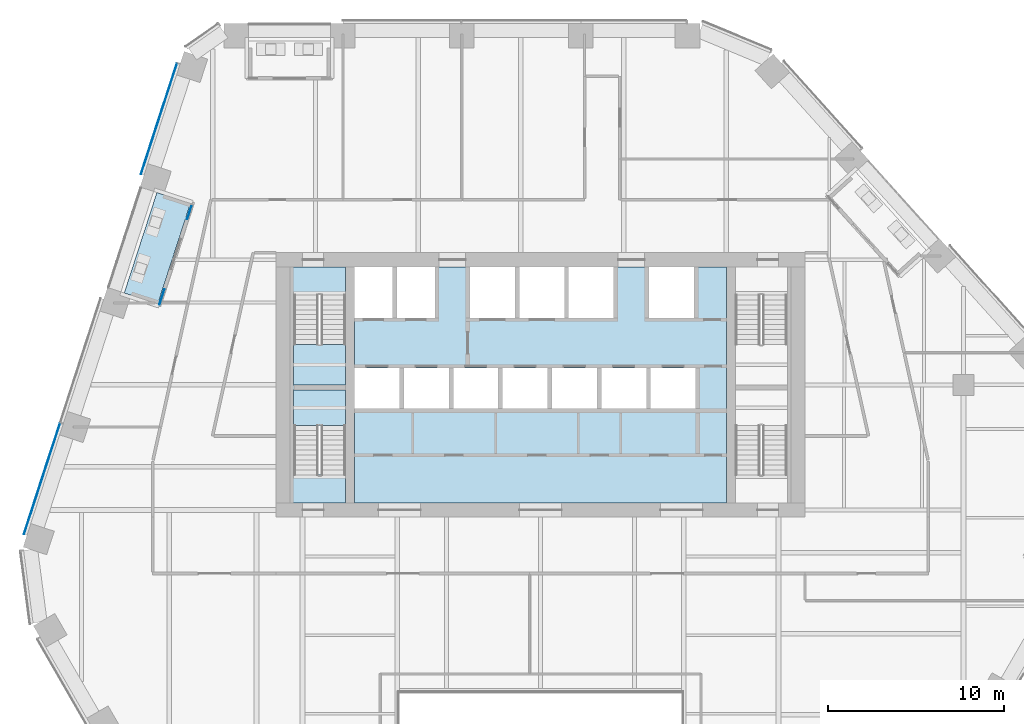
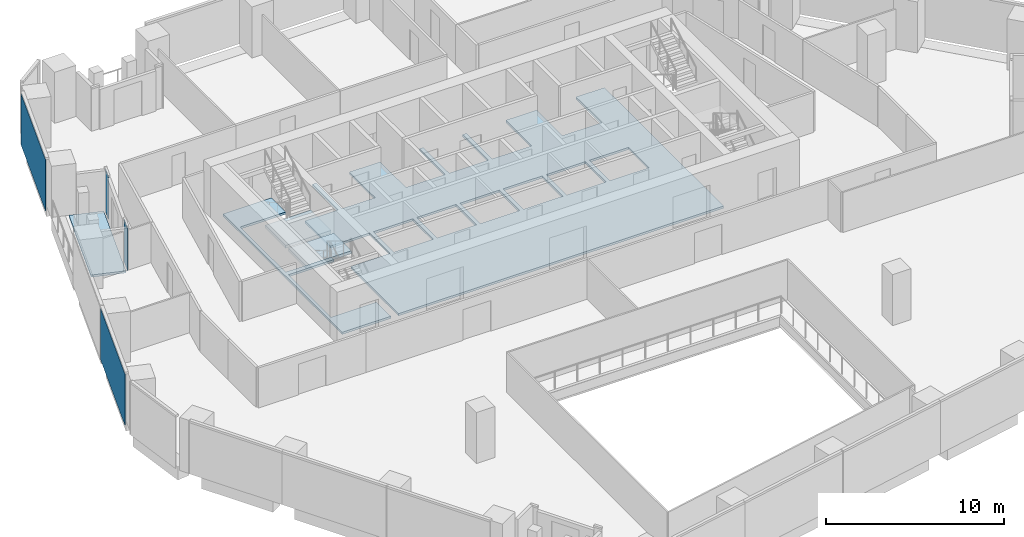
# One storey, part 16 of 26: 5 slabs, 4 plates, 4 elements without a shape of their own.
"""IFC4 building model written with IfcOpenShell, lengths in metres."""

from ifc_helpers import new_model, si_unit, direction, frame, origin, origin_2d, place, context, subcontext, project, spatial, polyline, rectangle, outline, extrude, material, layer, layer_set, type_object, element, aggregate, save


model = new_model("IFC4")

# Units and contexts
model_context = context("Model", 3, precision=1e-05, world=origin(), true_north=direction((0.0, 1.0)))
body_context = subcontext(model_context, "Body", "Model", "MODEL_VIEW")
ifc_project = project(units=[si_unit("LENGTHUNIT", "METRE"), si_unit("AREAUNIT", "SQUARE_METRE"), si_unit("VOLUMEUNIT", "CUBIC_METRE"), si_unit("PLANEANGLEUNIT", "RADIAN"), si_unit("MASSUNIT", "GRAM", prefix="KILO")], contexts=[model_context])

# Site, building, storey
site_placement = place(None, origin())
site = spatial("IfcSite", under=ifc_project, at=site_placement, CompositionType="ELEMENT")
building_placement = place(site_placement, origin())
building = spatial("IfcBuilding", under=site, at=building_placement, Name="Isthmus Gate Tower", CompositionType="ELEMENT")
storey_placement = place(building_placement, frame((0.0, 0.0, 144.39990234375)))
storey = spatial("IfcBuildingStorey", under=building, at=storey_placement, Name="L35", CompositionType="ELEMENT", Elevation=144.39990234375)

# Slabs
ifc_material_1 = material(Name="Concrete f'c 40 MPa", Category="concrete")
ifc_layer_1 = layer(ifc_material_1, 0.14990234375)
ifc_layer_set_1 = layer_set([ifc_layer_1], Name="CORE FLOOR SLAB 150")
slab_type_1 = type_object("IfcSlabType", Name="CORE FLOOR SLAB 150", PredefinedType="FLOOR", material=ifc_layer_set_1)
slab_1_placement = place(storey_placement, frame((0.0, 0.0, -0.14990234375)))
element("IfcSlab", 1, at=slab_1_placement, inside=storey, type_object=slab_type_1, Name="L35 core floor", PredefinedType="FLOOR", context=body_context, shape_type="SweptSolid", body=[
    extrude(outline(polyline([(-11.050048828125, 0.800048828125), (-11.050048828125, 2.402099609375), (-14.0, 2.402099609375), (-14.0, 7.199951171875), (-11.050048828125, 7.199951171875), (-11.050048828125, 7.5), (-14.0, 7.5), (-14.0, 12.597900390625), (-11.050048828125, 12.597900390625), (-11.050048828125, 14.199951171875), (-14.199951171875, 14.199951171875), (-14.199951171875, 0.800048828125), (-11.050048828125, 0.800048828125)])), origin(), (0.0, 0.0, 1.0), 0.14990234375),
])
slab_2_placement = place(storey_placement, frame((0.0, 0.0, -0.14990234375)))
element("IfcSlab", 2, at=slab_2_placement, inside=storey, type_object=slab_type_1, Name="L35 core floor", PredefinedType="FLOOR", context=body_context, shape_type="SweptSolid", body=[
    extrude(outline(polyline([(10.550048828125, 14.199951171875), (8.699951171875, 14.199951171875), (8.699951171875, 11.300048828125), (6.14990234375, 11.300048828125), (6.14990234375, 14.199951171875), (4.14990234375, 14.199951171875), (4.14990234375, 11.300048828125), (1.60009765625, 11.300048828125), (1.60009765625, 14.199951171875), (1.35009765625, 14.199951171875), (1.35009765625, 11.300048828125), (-1.199951171875, 11.300048828125), (-1.199951171875, 14.199951171875), (-1.449951171875, 14.199951171875), (-1.449951171875, 11.300048828125), (-4.0, 11.300048828125), (-4.0, 14.199951171875), (-6.0, 14.199951171875), (-6.0, 11.300048828125), (-8.14990234375, 11.300048828125), (-8.14990234375, 14.199951171875), (-8.39990234375, 14.199951171875), (-8.39990234375, 11.300048828125), (-10.550048828125, 11.300048828125), (-10.550048828125, 8.449951171875), (-8.0, 8.449951171875), (-8.0, 6.14990234375), (-10.550048828125, 6.14990234375), (-10.550048828125, 0.800048828125), (10.550048828125, 0.800048828125), (10.550048828125, 14.199951171875)]), holes=[polyline([(-5.199951171875, 8.449951171875), (-5.199951171875, 6.14990234375), (-7.75, 6.14990234375), (-7.75, 8.449951171875), (-5.199951171875, 8.449951171875)]), polyline([(-2.39990234375, 8.449951171875), (-2.39990234375, 6.14990234375), (-4.949951171875, 6.14990234375), (-4.949951171875, 8.449951171875), (-2.39990234375, 8.449951171875)]), polyline([(0.39990234375, 8.449951171875), (0.39990234375, 6.14990234375), (-2.14990234375, 6.14990234375), (-2.14990234375, 8.449951171875), (0.39990234375, 8.449951171875)]), polyline([(3.199951171875, 8.449951171875), (3.199951171875, 6.14990234375), (0.64990234375, 6.14990234375), (0.64990234375, 8.449951171875), (3.199951171875, 8.449951171875)]), polyline([(6.0, 8.449951171875), (6.0, 6.14990234375), (3.449951171875, 6.14990234375), (3.449951171875, 8.449951171875), (6.0, 8.449951171875)]), polyline([(8.800048828125, 8.449951171875), (8.800048828125, 6.14990234375), (6.25, 6.14990234375), (6.25, 8.449951171875), (8.800048828125, 8.449951171875)])]), origin(), (0.0, 0.0, 1.0), 0.14990234375),
])

# Curtain wall, plates
ifc_material_2 = material(Name="Aluminium, pale champagne anodised", Category="aluminium")
ifc_layer_2 = layer(ifc_material_2, 0.199951171875)
ifc_layer_set_2 = layer_set([ifc_layer_2], Name="CW-1 UNITISED CURTAIN WALL 200 DEEP")
curtain_wall_type_1 = type_object("IfcCurtainWallType", Name="CW-1 UNITISED CURTAIN WALL 200 DEEP", PredefinedType="NOTDEFINED", material=ifc_layer_set_2)
curtain_wall_1_placement = place(storey_placement, origin())
curtain_wall_1 = element("IfcCurtainWall", 3, at=curtain_wall_1_placement, inside=storey, type_object=curtain_wall_type_1, Name="CW-1 NW L35", PredefinedType="NOTDEFINED")
ifc_material_3 = material(Name="Laminated low-iron glass, pale blue tint", Category="glass")
ifc_layer_3 = layer(ifc_material_3, 0.035888671875)
ifc_layer_set_3 = layer_set([ifc_layer_3], Name="CW-1 CLEAR GLASS LITE 36")
plate_type_1 = type_object("IfcPlateType", Name="CW-1 CLEAR GLASS LITE 36", PredefinedType="CURTAIN_PANEL", material=ifc_layer_set_3)
plate_1_placement = place(storey_placement, frame((-21.647216796875, 22.59521484375, 0.0), z_axis=(0.0, 0.0, 1.0), x_axis=(-0.309016994375, -0.951056516295, 0.0)))
plate_1 = element("IfcPlate", 4, at=plate_1_placement, type_object=plate_type_1, Name="CW-1 glass lite", PredefinedType="CURTAIN_PANEL", context=body_context, shape_type="SweptSolid", body=[
    extrude(rectangle(XDim=6.630859375, YDim=0.035888671875, at=origin_2d()), origin(), (0.0, 0.0, 1.0), 3.510009765625),
])
plate_2_placement = place(storey_placement, frame((-28.28271484375, 2.173828125, 0.0), z_axis=(0.0, 0.0, 1.0), x_axis=(-0.309016994375, -0.951056516295, 0.0)))
plate_2 = element("IfcPlate", 5, at=plate_2_placement, type_object=plate_type_1, Name="CW-1 glass lite", PredefinedType="CURTAIN_PANEL", context=body_context, shape_type="SweptSolid", body=[
    extrude(rectangle(XDim=6.630859375, YDim=0.035888671875, at=origin_2d()), origin(), (0.0, 0.0, 1.0), 3.510009765625),
])
aggregate(curtain_wall_1, [plate_1, plate_2])

ifc_material_4 = material(Name="Aluminium, pale champagne anodised", Category="aluminium")
ifc_layer_4 = layer(ifc_material_4, 0.14990234375)
ifc_layer_set_4 = layer_set([ifc_layer_4], Name="CW-6 LOGGIA BACK WALL GLAZING 150 DEEP")
curtain_wall_type_2 = type_object("IfcCurtainWallType", Name="CW-6 LOGGIA BACK WALL GLAZING 150 DEEP", PredefinedType="NOTDEFINED", material=ifc_layer_set_4)
curtain_wall_2_placement = place(storey_placement, origin())
curtain_wall_2 = element("IfcCurtainWall", 6, at=curtain_wall_2_placement, inside=storey, type_object=curtain_wall_type_2, Name="CW-6 NW L35", PredefinedType="NOTDEFINED")
ifc_material_5 = material(Name="Laminated low-iron glass, clear", Category="glass")
ifc_layer_5 = layer(ifc_material_5, 0.031982421875)
ifc_layer_set_5 = layer_set([ifc_layer_5], Name="CW-6 CLEAR GLASS LITE 32")
plate_type_2 = type_object("IfcPlateType", Name="CW-6 CLEAR GLASS LITE 32", PredefinedType="CURTAIN_PANEL", material=ifc_layer_set_5)
plate_3_placement = place(storey_placement, frame((-19.914306640625, 17.307861328125, 0.0), z_axis=(0.0, 0.0, 1.0), x_axis=(-0.309016994375, -0.951056516295, 0.0)))
plate_3 = element("IfcPlate", 7, at=plate_3_placement, type_object=plate_type_2, Name="CW-6 glass lite", PredefinedType="CURTAIN_PANEL", context=body_context, shape_type="SweptSolid", body=[
    extrude(rectangle(XDim=0.83544921875, YDim=0.031982421875, at=origin_2d()), origin(), (0.0, 0.0, 1.0), 2.929931640625),
])
plate_4_placement = place(storey_placement, frame((-21.479736328125, 12.490478515625, 0.0), z_axis=(0.0, 0.0, 1.0), x_axis=(-0.309016994375, -0.951056516295, 0.0)))
plate_4 = element("IfcPlate", 8, at=plate_4_placement, type_object=plate_type_2, Name="CW-6 glass lite", PredefinedType="CURTAIN_PANEL", context=body_context, shape_type="SweptSolid", body=[
    extrude(rectangle(XDim=0.8955078125, YDim=0.031982421875, at=origin_2d()), origin(), (0.0, 0.0, 1.0), 2.929931640625),
])
aggregate(curtain_wall_2, [plate_3, plate_4])

# Slab
ifc_material_6 = material(Name="Concrete f'c 50 MPa", Category="concrete")
ifc_layer_6 = layer(ifc_material_6, 0.14990234375)
ifc_layer_set_6 = layer_set([ifc_layer_6], Name="LOGGIA FLOOR SLAB 150")
slab_type_2 = type_object("IfcSlabType", Name="LOGGIA FLOOR SLAB 150", PredefinedType="FLOOR", material=ifc_layer_set_6)
slab_3_placement = place(storey_placement, frame((0.0, 0.0, -0.14990234375)))
element("IfcSlab", 9, at=slab_3_placement, inside=storey, type_object=slab_type_2, Name="LOGGIA FLOOR", PredefinedType="FLOOR", context=body_context, shape_type="SweptSolid", body=[
    extrude(outline(polyline([(-21.763916015625, 18.4111328125), (-23.615234375, 12.713623046875), (-21.713134765625, 12.095458984375), (-19.86181640625, 17.793212890625), (-21.763916015625, 18.4111328125)])), origin(), (0.0, 0.0, 1.0), 0.14990234375),
])

# Stair, slab
ifc_material_7 = material(Name="Concrete f'c 40 MPa", Category="concrete")
stair_type = type_object("IfcStairType", Name="CORE STAIR 22 RISERS", PredefinedType="HALF_TURN_STAIR", material=ifc_material_7)
stair_1_placement = place(storey_placement, origin())
stair_1 = element("IfcStair", 10, at=stair_1_placement, inside=storey, type_object=stair_type, Name="L35 Exit Stair 1", PredefinedType="HALF_TURN_STAIR")
ifc_material_8 = material(Name="Concrete f'c 40 MPa", Category="concrete")
ifc_layer_7 = layer(ifc_material_8, 0.199951171875)
ifc_layer_set_7 = layer_set([ifc_layer_7])
slab_type_3 = type_object("IfcSlabType", Name="STAIR LANDING RC 200", PredefinedType="LANDING", material=ifc_layer_set_7)
slab_4_placement = place(storey_placement, frame((0.0, 0.0, 1.625)))
slab_4 = element("IfcSlab", 11, at=slab_4_placement, type_object=slab_type_3, Name="ST1 landing 1", PredefinedType="LANDING", context=body_context, shape_type="SweptSolid", body=[
    extrude(outline(polyline([(-14.0, 9.800048828125), (-14.0, 7.5), (-11.050048828125, 7.5), (-11.050048828125, 9.800048828125), (-14.0, 9.800048828125)])), origin(), (0.0, 0.0, 1.0), 0.2001953125),
])
aggregate(stair_1, [slab_4])

stair_2_placement = place(storey_placement, origin())
stair_2 = element("IfcStair", 12, at=stair_2_placement, inside=storey, type_object=stair_type, Name="L35 Exit Stair 7", PredefinedType="HALF_TURN_STAIR")
slab_5_placement = place(storey_placement, frame((0.0, 0.0, 1.625)))
slab_5 = element("IfcSlab", 13, at=slab_5_placement, type_object=slab_type_3, Name="ST7 landing 1", PredefinedType="LANDING", context=body_context, shape_type="SweptSolid", body=[
    extrude(outline(polyline([(-11.050048828125, 5.199951171875), (-11.050048828125, 7.199951171875), (-14.0, 7.199951171875), (-14.0, 5.199951171875), (-11.050048828125, 5.199951171875)])), origin(), (0.0, 0.0, 1.0), 0.2001953125),
])
aggregate(stair_2, [slab_5])

save(model, "model.ifc")
